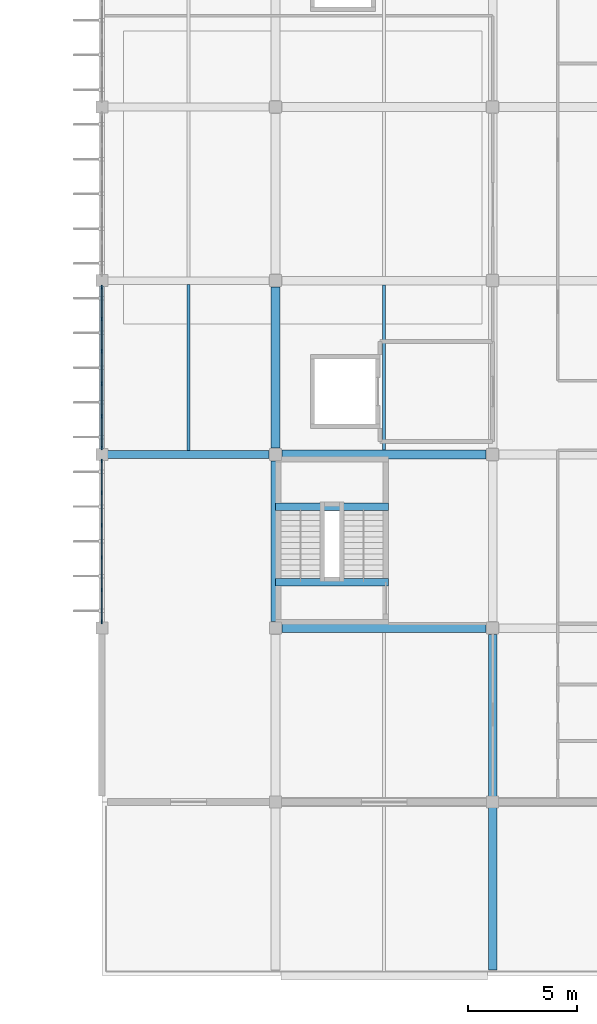
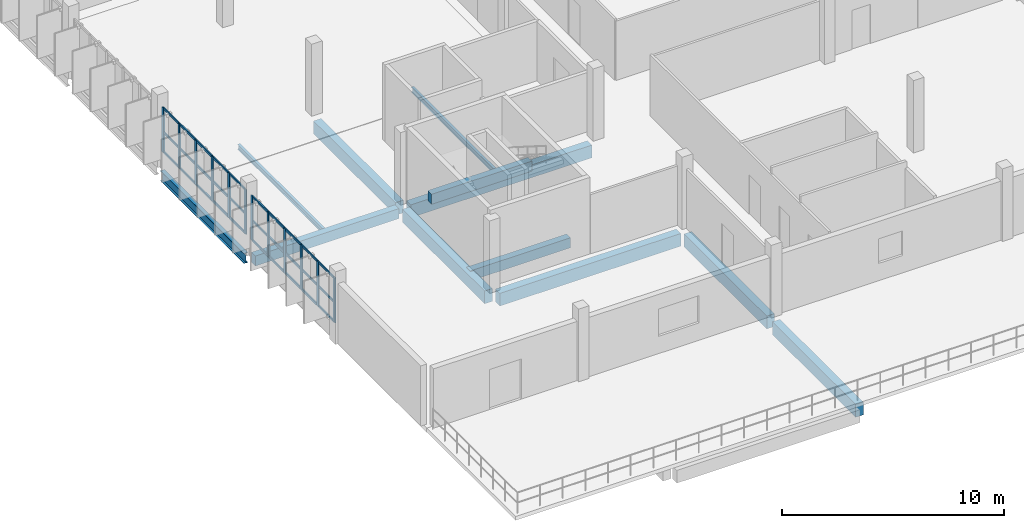
# One storey, part 12 of 38: 42 members, 12 beams, 2 elements without a shape of their own.
"""IFC4 building model written with IfcOpenShell, lengths in metres."""

from ifc_helpers import new_model, si_unit, direction, frame, origin, origin_2d, place, context, subcontext, project, spatial, rectangle, i_section, extrude, material, layer, layer_set, material_profile, profile_set, type_object, element, aggregate, save


model = new_model("IFC4")

# Units and contexts
model_context = context("Model", 3, precision=1e-05, world=origin(), true_north=direction((0.0, 1.0)))
body_context = subcontext(model_context, "Body", "Model", "MODEL_VIEW")
ifc_project = project(units=[si_unit("LENGTHUNIT", "METRE"), si_unit("AREAUNIT", "SQUARE_METRE"), si_unit("VOLUMEUNIT", "CUBIC_METRE"), si_unit("PLANEANGLEUNIT", "RADIAN"), si_unit("MASSUNIT", "GRAM", prefix="KILO")], contexts=[model_context])

# Site, building, storey
site_placement = place(None, origin())
site = spatial("IfcSite", under=ifc_project, at=site_placement, CompositionType="ELEMENT")
building_placement = place(site_placement, origin())
building = spatial("IfcBuilding", under=site, at=building_placement, Name="Drelvana Railside Aquatics Centre", CompositionType="ELEMENT")
storey_placement = place(building_placement, frame((0.0, 0.0, 14.39990234375)))
storey = spatial("IfcBuildingStorey", under=building, at=storey_placement, Name="L03", CompositionType="ELEMENT", Elevation=14.39990234375)

# Curtain wall, members
ifc_material_1 = material(Name="Bronze-anodised aluminium curtain wall", Category="aluminium")
ifc_layer = layer(ifc_material_1, 0.175048828125, Name="Bronze-anodised aluminium curtain wall")
ifc_layer_set = layer_set([ifc_layer], Name="Bronze-anodised aluminium curtain wall")
curtain_wall_type = type_object("IfcCurtainWallType", Name="CW-Z6-WING", PredefinedType="NOTDEFINED", material=ifc_layer_set)
curtain_wall_1_placement = place(storey_placement, origin())
curtain_wall_1 = element("IfcCurtainWall", 1, at=curtain_wall_1_placement, inside=storey, type_object=curtain_wall_type, Name="Curtain wall CW-06-139", PredefinedType="NOTDEFINED")
ifc_material_2 = material(Name="Bronze-anodised aluminium 6063-T6", Category="aluminium")
ifc_material_profile_1 = material_profile(ifc_material_2, rectangle(XDim=0.06494140625, YDim=0.175048828125, at=origin_2d()), Name="ALU-M 65x175")
ifc_profile_set_1 = profile_set([ifc_material_profile_1], Name="Bronze-anodised aluminium 6063-T6")
member_type_1 = type_object("IfcMemberType", Name="CW-Z6-WING-MUL", PredefinedType="MULLION", material=ifc_profile_set_1)
member_1_placement = place(storey_placement, frame((144.0, 24.301513671875, 0.794189453125), z_axis=(0.0, 0.0, 1.0), x_axis=(-1.0, 0.0, 0.0)))
member_1 = element("IfcMember", 2, at=member_1_placement, type_object=member_type_1, Name="CW-06 mullion 1", PredefinedType="MULLION", context=body_context, shape_type="SweptSolid", body=[
    extrude(rectangle(XDim=0.06494140625, YDim=0.175048828125, at=origin_2d()), origin(), (0.0, 0.0, 1.0), 2.455810546875),
])
member_2_placement = place(storey_placement, frame((144.0, 25.761474609375, 0.794189453125), z_axis=(0.0, 0.0, 1.0), x_axis=(-1.0, 0.0, 0.0)))
member_2 = element("IfcMember", 3, at=member_2_placement, type_object=member_type_1, Name="CW-06 mullion 2", PredefinedType="MULLION", context=body_context, shape_type="SweptSolid", body=[
    extrude(rectangle(XDim=0.06494140625, YDim=0.175048828125, at=origin_2d()), origin(), (0.0, 0.0, 1.0), 2.455810546875),
])
member_3_placement = place(storey_placement, frame((144.0, 27.25390625, 0.794189453125), z_axis=(0.0, 0.0, 1.0), x_axis=(-1.0, 0.0, 0.0)))
member_3 = element("IfcMember", 4, at=member_3_placement, type_object=member_type_1, Name="CW-06 mullion 3", PredefinedType="MULLION", context=body_context, shape_type="SweptSolid", body=[
    extrude(rectangle(XDim=0.06494140625, YDim=0.175048828125, at=origin_2d()), origin(), (0.0, 0.0, 1.0), 2.455810546875),
])
member_4_placement = place(storey_placement, frame((144.0, 28.74609375, 0.794189453125), z_axis=(0.0, 0.0, 1.0), x_axis=(-1.0, 0.0, 0.0)))
member_4 = element("IfcMember", 5, at=member_4_placement, type_object=member_type_1, Name="CW-06 mullion 4", PredefinedType="MULLION", context=body_context, shape_type="SweptSolid", body=[
    extrude(rectangle(XDim=0.06494140625, YDim=0.175048828125, at=origin_2d()), origin(), (0.0, 0.0, 1.0), 2.455810546875),
])
member_5_placement = place(storey_placement, frame((144.0, 30.238525390625, 0.794189453125), z_axis=(0.0, 0.0, 1.0), x_axis=(-1.0, 0.0, 0.0)))
member_5 = element("IfcMember", 6, at=member_5_placement, type_object=member_type_1, Name="CW-06 mullion 5", PredefinedType="MULLION", context=body_context, shape_type="SweptSolid", body=[
    extrude(rectangle(XDim=0.06494140625, YDim=0.175048828125, at=origin_2d()), origin(), (0.0, 0.0, 1.0), 2.455810546875),
])
member_6_placement = place(storey_placement, frame((144.0, 31.698486328125, 0.794189453125), z_axis=(0.0, 0.0, 1.0), x_axis=(-1.0, 0.0, 0.0)))
member_6 = element("IfcMember", 7, at=member_6_placement, type_object=member_type_1, Name="CW-06 mullion 6", PredefinedType="MULLION", context=body_context, shape_type="SweptSolid", body=[
    extrude(rectangle(XDim=0.06494140625, YDim=0.175048828125, at=origin_2d()), origin(), (0.0, 0.0, 1.0), 2.455810546875),
])

curtain_wall_2_placement = place(storey_placement, origin())
curtain_wall_2 = element("IfcCurtainWall", 8, at=curtain_wall_2_placement, inside=storey, type_object=curtain_wall_type, Name="Curtain wall CW-06-143", PredefinedType="NOTDEFINED")
member_7_placement = place(storey_placement, frame((144.0, 32.301513671875, 0.794189453125), z_axis=(0.0, 0.0, 1.0), x_axis=(-1.0, 0.0, 0.0)))
member_7 = element("IfcMember", 9, at=member_7_placement, type_object=member_type_1, Name="CW-06 mullion 1", PredefinedType="MULLION", context=body_context, shape_type="SweptSolid", body=[
    extrude(rectangle(XDim=0.06494140625, YDim=0.175048828125, at=origin_2d()), origin(), (0.0, 0.0, 1.0), 2.455810546875),
])
member_8_placement = place(storey_placement, frame((144.0, 33.761474609375, 0.794189453125), z_axis=(0.0, 0.0, 1.0), x_axis=(-1.0, 0.0, 0.0)))
member_8 = element("IfcMember", 10, at=member_8_placement, type_object=member_type_1, Name="CW-06 mullion 2", PredefinedType="MULLION", context=body_context, shape_type="SweptSolid", body=[
    extrude(rectangle(XDim=0.06494140625, YDim=0.175048828125, at=origin_2d()), origin(), (0.0, 0.0, 1.0), 2.455810546875),
])
member_9_placement = place(storey_placement, frame((144.0, 35.25390625, 0.794189453125), z_axis=(0.0, 0.0, 1.0), x_axis=(-1.0, 0.0, 0.0)))
member_9 = element("IfcMember", 11, at=member_9_placement, type_object=member_type_1, Name="CW-06 mullion 3", PredefinedType="MULLION", context=body_context, shape_type="SweptSolid", body=[
    extrude(rectangle(XDim=0.06494140625, YDim=0.175048828125, at=origin_2d()), origin(), (0.0, 0.0, 1.0), 2.455810546875),
])
member_10_placement = place(storey_placement, frame((144.0, 36.74609375, 0.794189453125), z_axis=(0.0, 0.0, 1.0), x_axis=(-1.0, 0.0, 0.0)))
member_10 = element("IfcMember", 12, at=member_10_placement, type_object=member_type_1, Name="CW-06 mullion 4", PredefinedType="MULLION", context=body_context, shape_type="SweptSolid", body=[
    extrude(rectangle(XDim=0.06494140625, YDim=0.175048828125, at=origin_2d()), origin(), (0.0, 0.0, 1.0), 2.455810546875),
])
member_11_placement = place(storey_placement, frame((144.0, 38.238525390625, 0.794189453125), z_axis=(0.0, 0.0, 1.0), x_axis=(-1.0, 0.0, 0.0)))
member_11 = element("IfcMember", 13, at=member_11_placement, type_object=member_type_1, Name="CW-06 mullion 5", PredefinedType="MULLION", context=body_context, shape_type="SweptSolid", body=[
    extrude(rectangle(XDim=0.06494140625, YDim=0.175048828125, at=origin_2d()), origin(), (0.0, 0.0, 1.0), 2.455810546875),
])
member_12_placement = place(storey_placement, frame((144.0, 39.698486328125, 0.794189453125), z_axis=(0.0, 0.0, 1.0), x_axis=(-1.0, 0.0, 0.0)))
member_12 = element("IfcMember", 14, at=member_12_placement, type_object=member_type_1, Name="CW-06 mullion 6", PredefinedType="MULLION", context=body_context, shape_type="SweptSolid", body=[
    extrude(rectangle(XDim=0.06494140625, YDim=0.175048828125, at=origin_2d()), origin(), (0.0, 0.0, 1.0), 2.455810546875),
])

# Member
ifc_material_profile_2 = material_profile(ifc_material_2, rectangle(XDim=0.1201171875, YDim=0.06005859375, at=origin_2d()), Name="ALU-T 60x120")
ifc_profile_set_2 = profile_set([ifc_material_profile_2], Name="Bronze-anodised aluminium 6063-T6")
member_type_2 = type_object("IfcMemberType", Name="CW-Z6-WING-TRN", PredefinedType="USERDEFINED", material=ifc_profile_set_2)
member_13_placement = place(storey_placement, frame((144.0, 24.3291015625, 0.82421875), z_axis=(0.0, 1.0, 0.0), x_axis=(0.0, 0.0, 1.0)))
member_13 = element("IfcMember", 15, at=member_13_placement, type_object=member_type_2, Name="CW-06 transom 1.1", ObjectType="TRANSOM", PredefinedType="USERDEFINED", context=body_context, shape_type="SweptSolid", body=[
    extrude(rectangle(XDim=0.1201171875, YDim=0.06005859375, at=origin_2d()), origin(), (0.0, 0.0, 1.0), 1.40478515625),
])

member_14_placement = place(storey_placement, frame((144.0, 24.3291015625, 1.899169921875), z_axis=(0.0, 1.0, 0.0), x_axis=(0.0, 0.0, 1.0)))
member_14 = element("IfcMember", 16, at=member_14_placement, type_object=member_type_2, Name="CW-06 transom 1.2", ObjectType="TRANSOM", PredefinedType="USERDEFINED", context=body_context, shape_type="SweptSolid", body=[
    extrude(rectangle(XDim=0.1201171875, YDim=0.06005859375, at=origin_2d()), origin(), (0.0, 0.0, 1.0), 1.40478515625),
])

member_15_placement = place(storey_placement, frame((144.0, 24.3291015625, 3.22021484375), z_axis=(0.0, 1.0, 0.0), x_axis=(0.0, 0.0, 1.0)))
member_15 = element("IfcMember", 17, at=member_15_placement, type_object=member_type_2, Name="CW-06 transom 1.3", ObjectType="TRANSOM", PredefinedType="USERDEFINED", context=body_context, shape_type="SweptSolid", body=[
    extrude(rectangle(XDim=0.1201171875, YDim=0.06005859375, at=origin_2d()), origin(), (0.0, 0.0, 1.0), 1.40478515625),
])

member_16_placement = place(storey_placement, frame((144.0, 25.788818359375, 0.82421875), z_axis=(0.0, 1.0, 0.0), x_axis=(0.0, 0.0, 1.0)))
member_16 = element("IfcMember", 18, at=member_16_placement, type_object=member_type_2, Name="CW-06 transom 2.1", ObjectType="TRANSOM", PredefinedType="USERDEFINED", context=body_context, shape_type="SweptSolid", body=[
    extrude(rectangle(XDim=0.1201171875, YDim=0.06005859375, at=origin_2d()), origin(), (0.0, 0.0, 1.0), 1.4375),
])

member_17_placement = place(storey_placement, frame((144.0, 25.788818359375, 1.899169921875), z_axis=(0.0, 1.0, 0.0), x_axis=(0.0, 0.0, 1.0)))
member_17 = element("IfcMember", 19, at=member_17_placement, type_object=member_type_2, Name="CW-06 transom 2.2", ObjectType="TRANSOM", PredefinedType="USERDEFINED", context=body_context, shape_type="SweptSolid", body=[
    extrude(rectangle(XDim=0.1201171875, YDim=0.06005859375, at=origin_2d()), origin(), (0.0, 0.0, 1.0), 1.4375),
])

member_18_placement = place(storey_placement, frame((144.0, 25.788818359375, 3.22021484375), z_axis=(0.0, 1.0, 0.0), x_axis=(0.0, 0.0, 1.0)))
member_18 = element("IfcMember", 20, at=member_18_placement, type_object=member_type_2, Name="CW-06 transom 2.3", ObjectType="TRANSOM", PredefinedType="USERDEFINED", context=body_context, shape_type="SweptSolid", body=[
    extrude(rectangle(XDim=0.1201171875, YDim=0.06005859375, at=origin_2d()), origin(), (0.0, 0.0, 1.0), 1.4375),
])

member_19_placement = place(storey_placement, frame((144.0, 27.28125, 0.82421875), z_axis=(0.0, 1.0, 0.0), x_axis=(0.0, 0.0, 1.0)))
member_19 = element("IfcMember", 21, at=member_19_placement, type_object=member_type_2, Name="CW-06 transom 3.1", ObjectType="TRANSOM", PredefinedType="USERDEFINED", context=body_context, shape_type="SweptSolid", body=[
    extrude(rectangle(XDim=0.1201171875, YDim=0.06005859375, at=origin_2d()), origin(), (0.0, 0.0, 1.0), 1.4375),
])

member_20_placement = place(storey_placement, frame((144.0, 27.28125, 1.899169921875), z_axis=(0.0, 1.0, 0.0), x_axis=(0.0, 0.0, 1.0)))
member_20 = element("IfcMember", 22, at=member_20_placement, type_object=member_type_2, Name="CW-06 transom 3.2", ObjectType="TRANSOM", PredefinedType="USERDEFINED", context=body_context, shape_type="SweptSolid", body=[
    extrude(rectangle(XDim=0.1201171875, YDim=0.06005859375, at=origin_2d()), origin(), (0.0, 0.0, 1.0), 1.4375),
])

member_21_placement = place(storey_placement, frame((144.0, 27.28125, 3.22021484375), z_axis=(0.0, 1.0, 0.0), x_axis=(0.0, 0.0, 1.0)))
member_21 = element("IfcMember", 23, at=member_21_placement, type_object=member_type_2, Name="CW-06 transom 3.3", ObjectType="TRANSOM", PredefinedType="USERDEFINED", context=body_context, shape_type="SweptSolid", body=[
    extrude(rectangle(XDim=0.1201171875, YDim=0.06005859375, at=origin_2d()), origin(), (0.0, 0.0, 1.0), 1.4375),
])

member_22_placement = place(storey_placement, frame((144.0, 28.773681640625, 0.82421875), z_axis=(0.0, 1.0, 0.0), x_axis=(0.0, 0.0, 1.0)))
member_22 = element("IfcMember", 24, at=member_22_placement, type_object=member_type_2, Name="CW-06 transom 4.1", ObjectType="TRANSOM", PredefinedType="USERDEFINED", context=body_context, shape_type="SweptSolid", body=[
    extrude(rectangle(XDim=0.1201171875, YDim=0.06005859375, at=origin_2d()), origin(), (0.0, 0.0, 1.0), 1.4375),
])

member_23_placement = place(storey_placement, frame((144.0, 28.773681640625, 1.899169921875), z_axis=(0.0, 1.0, 0.0), x_axis=(0.0, 0.0, 1.0)))
member_23 = element("IfcMember", 25, at=member_23_placement, type_object=member_type_2, Name="CW-06 transom 4.2", ObjectType="TRANSOM", PredefinedType="USERDEFINED", context=body_context, shape_type="SweptSolid", body=[
    extrude(rectangle(XDim=0.1201171875, YDim=0.06005859375, at=origin_2d()), origin(), (0.0, 0.0, 1.0), 1.4375),
])

member_24_placement = place(storey_placement, frame((144.0, 28.773681640625, 3.22021484375), z_axis=(0.0, 1.0, 0.0), x_axis=(0.0, 0.0, 1.0)))
member_24 = element("IfcMember", 26, at=member_24_placement, type_object=member_type_2, Name="CW-06 transom 4.3", ObjectType="TRANSOM", PredefinedType="USERDEFINED", context=body_context, shape_type="SweptSolid", body=[
    extrude(rectangle(XDim=0.1201171875, YDim=0.06005859375, at=origin_2d()), origin(), (0.0, 0.0, 1.0), 1.4375),
])

member_25_placement = place(storey_placement, frame((144.0, 30.26611328125, 0.82421875), z_axis=(0.0, 1.0, 0.0), x_axis=(0.0, 0.0, 1.0)))
member_25 = element("IfcMember", 27, at=member_25_placement, type_object=member_type_2, Name="CW-06 transom 5.1", ObjectType="TRANSOM", PredefinedType="USERDEFINED", context=body_context, shape_type="SweptSolid", body=[
    extrude(rectangle(XDim=0.1201171875, YDim=0.06005859375, at=origin_2d()), origin(), (0.0, 0.0, 1.0), 1.40478515625),
])

member_26_placement = place(storey_placement, frame((144.0, 30.26611328125, 1.899169921875), z_axis=(0.0, 1.0, 0.0), x_axis=(0.0, 0.0, 1.0)))
member_26 = element("IfcMember", 28, at=member_26_placement, type_object=member_type_2, Name="CW-06 transom 5.2", ObjectType="TRANSOM", PredefinedType="USERDEFINED", context=body_context, shape_type="SweptSolid", body=[
    extrude(rectangle(XDim=0.1201171875, YDim=0.06005859375, at=origin_2d()), origin(), (0.0, 0.0, 1.0), 1.40478515625),
])

member_27_placement = place(storey_placement, frame((144.0, 30.26611328125, 3.22021484375), z_axis=(0.0, 1.0, 0.0), x_axis=(0.0, 0.0, 1.0)))
member_27 = element("IfcMember", 29, at=member_27_placement, type_object=member_type_2, Name="CW-06 transom 5.3", ObjectType="TRANSOM", PredefinedType="USERDEFINED", context=body_context, shape_type="SweptSolid", body=[
    extrude(rectangle(XDim=0.1201171875, YDim=0.06005859375, at=origin_2d()), origin(), (0.0, 0.0, 1.0), 1.40478515625),
])

aggregate(curtain_wall_1, [member_1, member_2, member_3, member_4, member_5, member_6, member_13, member_14, member_15, member_16, member_17, member_18, member_19, member_20, member_21, member_22, member_23, member_24, member_25, member_26, member_27])

member_28_placement = place(storey_placement, frame((144.0, 32.3291015625, 0.82421875), z_axis=(0.0, 1.0, 0.0), x_axis=(0.0, 0.0, 1.0)))
member_28 = element("IfcMember", 30, at=member_28_placement, type_object=member_type_2, Name="CW-06 transom 1.1", ObjectType="TRANSOM", PredefinedType="USERDEFINED", context=body_context, shape_type="SweptSolid", body=[
    extrude(rectangle(XDim=0.1201171875, YDim=0.06005859375, at=origin_2d()), origin(), (0.0, 0.0, 1.0), 1.40478515625),
])

member_29_placement = place(storey_placement, frame((144.0, 32.3291015625, 1.899169921875), z_axis=(0.0, 1.0, 0.0), x_axis=(0.0, 0.0, 1.0)))
member_29 = element("IfcMember", 31, at=member_29_placement, type_object=member_type_2, Name="CW-06 transom 1.2", ObjectType="TRANSOM", PredefinedType="USERDEFINED", context=body_context, shape_type="SweptSolid", body=[
    extrude(rectangle(XDim=0.1201171875, YDim=0.06005859375, at=origin_2d()), origin(), (0.0, 0.0, 1.0), 1.40478515625),
])

member_30_placement = place(storey_placement, frame((144.0, 32.3291015625, 3.22021484375), z_axis=(0.0, 1.0, 0.0), x_axis=(0.0, 0.0, 1.0)))
member_30 = element("IfcMember", 32, at=member_30_placement, type_object=member_type_2, Name="CW-06 transom 1.3", ObjectType="TRANSOM", PredefinedType="USERDEFINED", context=body_context, shape_type="SweptSolid", body=[
    extrude(rectangle(XDim=0.1201171875, YDim=0.06005859375, at=origin_2d()), origin(), (0.0, 0.0, 1.0), 1.40478515625),
])

member_31_placement = place(storey_placement, frame((144.0, 33.788818359375, 0.82421875), z_axis=(0.0, 1.0, 0.0), x_axis=(0.0, 0.0, 1.0)))
member_31 = element("IfcMember", 33, at=member_31_placement, type_object=member_type_2, Name="CW-06 transom 2.1", ObjectType="TRANSOM", PredefinedType="USERDEFINED", context=body_context, shape_type="SweptSolid", body=[
    extrude(rectangle(XDim=0.1201171875, YDim=0.06005859375, at=origin_2d()), origin(), (0.0, 0.0, 1.0), 1.4375),
])

member_32_placement = place(storey_placement, frame((144.0, 33.788818359375, 1.899169921875), z_axis=(0.0, 1.0, 0.0), x_axis=(0.0, 0.0, 1.0)))
member_32 = element("IfcMember", 34, at=member_32_placement, type_object=member_type_2, Name="CW-06 transom 2.2", ObjectType="TRANSOM", PredefinedType="USERDEFINED", context=body_context, shape_type="SweptSolid", body=[
    extrude(rectangle(XDim=0.1201171875, YDim=0.06005859375, at=origin_2d()), origin(), (0.0, 0.0, 1.0), 1.4375),
])

member_33_placement = place(storey_placement, frame((144.0, 33.788818359375, 3.22021484375), z_axis=(0.0, 1.0, 0.0), x_axis=(0.0, 0.0, 1.0)))
member_33 = element("IfcMember", 35, at=member_33_placement, type_object=member_type_2, Name="CW-06 transom 2.3", ObjectType="TRANSOM", PredefinedType="USERDEFINED", context=body_context, shape_type="SweptSolid", body=[
    extrude(rectangle(XDim=0.1201171875, YDim=0.06005859375, at=origin_2d()), origin(), (0.0, 0.0, 1.0), 1.4375),
])

member_34_placement = place(storey_placement, frame((144.0, 35.28125, 0.82421875), z_axis=(0.0, 1.0, 0.0), x_axis=(0.0, 0.0, 1.0)))
member_34 = element("IfcMember", 36, at=member_34_placement, type_object=member_type_2, Name="CW-06 transom 3.1", ObjectType="TRANSOM", PredefinedType="USERDEFINED", context=body_context, shape_type="SweptSolid", body=[
    extrude(rectangle(XDim=0.1201171875, YDim=0.06005859375, at=origin_2d()), origin(), (0.0, 0.0, 1.0), 1.4375),
])

member_35_placement = place(storey_placement, frame((144.0, 35.28125, 1.899169921875), z_axis=(0.0, 1.0, 0.0), x_axis=(0.0, 0.0, 1.0)))
member_35 = element("IfcMember", 37, at=member_35_placement, type_object=member_type_2, Name="CW-06 transom 3.2", ObjectType="TRANSOM", PredefinedType="USERDEFINED", context=body_context, shape_type="SweptSolid", body=[
    extrude(rectangle(XDim=0.1201171875, YDim=0.06005859375, at=origin_2d()), origin(), (0.0, 0.0, 1.0), 1.4375),
])

member_36_placement = place(storey_placement, frame((144.0, 35.28125, 3.22021484375), z_axis=(0.0, 1.0, 0.0), x_axis=(0.0, 0.0, 1.0)))
member_36 = element("IfcMember", 38, at=member_36_placement, type_object=member_type_2, Name="CW-06 transom 3.3", ObjectType="TRANSOM", PredefinedType="USERDEFINED", context=body_context, shape_type="SweptSolid", body=[
    extrude(rectangle(XDim=0.1201171875, YDim=0.06005859375, at=origin_2d()), origin(), (0.0, 0.0, 1.0), 1.4375),
])

member_37_placement = place(storey_placement, frame((144.0, 36.773681640625, 0.82421875), z_axis=(0.0, 1.0, 0.0), x_axis=(0.0, 0.0, 1.0)))
member_37 = element("IfcMember", 39, at=member_37_placement, type_object=member_type_2, Name="CW-06 transom 4.1", ObjectType="TRANSOM", PredefinedType="USERDEFINED", context=body_context, shape_type="SweptSolid", body=[
    extrude(rectangle(XDim=0.1201171875, YDim=0.06005859375, at=origin_2d()), origin(), (0.0, 0.0, 1.0), 1.4375),
])

member_38_placement = place(storey_placement, frame((144.0, 36.773681640625, 1.899169921875), z_axis=(0.0, 1.0, 0.0), x_axis=(0.0, 0.0, 1.0)))
member_38 = element("IfcMember", 40, at=member_38_placement, type_object=member_type_2, Name="CW-06 transom 4.2", ObjectType="TRANSOM", PredefinedType="USERDEFINED", context=body_context, shape_type="SweptSolid", body=[
    extrude(rectangle(XDim=0.1201171875, YDim=0.06005859375, at=origin_2d()), origin(), (0.0, 0.0, 1.0), 1.4375),
])

member_39_placement = place(storey_placement, frame((144.0, 36.773681640625, 3.22021484375), z_axis=(0.0, 1.0, 0.0), x_axis=(0.0, 0.0, 1.0)))
member_39 = element("IfcMember", 41, at=member_39_placement, type_object=member_type_2, Name="CW-06 transom 4.3", ObjectType="TRANSOM", PredefinedType="USERDEFINED", context=body_context, shape_type="SweptSolid", body=[
    extrude(rectangle(XDim=0.1201171875, YDim=0.06005859375, at=origin_2d()), origin(), (0.0, 0.0, 1.0), 1.4375),
])

member_40_placement = place(storey_placement, frame((144.0, 38.26611328125, 0.82421875), z_axis=(0.0, 1.0, 0.0), x_axis=(0.0, 0.0, 1.0)))
member_40 = element("IfcMember", 42, at=member_40_placement, type_object=member_type_2, Name="CW-06 transom 5.1", ObjectType="TRANSOM", PredefinedType="USERDEFINED", context=body_context, shape_type="SweptSolid", body=[
    extrude(rectangle(XDim=0.1201171875, YDim=0.06005859375, at=origin_2d()), origin(), (0.0, 0.0, 1.0), 1.40478515625),
])

member_41_placement = place(storey_placement, frame((144.0, 38.26611328125, 1.899169921875), z_axis=(0.0, 1.0, 0.0), x_axis=(0.0, 0.0, 1.0)))
member_41 = element("IfcMember", 43, at=member_41_placement, type_object=member_type_2, Name="CW-06 transom 5.2", ObjectType="TRANSOM", PredefinedType="USERDEFINED", context=body_context, shape_type="SweptSolid", body=[
    extrude(rectangle(XDim=0.1201171875, YDim=0.06005859375, at=origin_2d()), origin(), (0.0, 0.0, 1.0), 1.40478515625),
])

member_42_placement = place(storey_placement, frame((144.0, 38.26611328125, 3.22021484375), z_axis=(0.0, 1.0, 0.0), x_axis=(0.0, 0.0, 1.0)))
member_42 = element("IfcMember", 44, at=member_42_placement, type_object=member_type_2, Name="CW-06 transom 5.3", ObjectType="TRANSOM", PredefinedType="USERDEFINED", context=body_context, shape_type="SweptSolid", body=[
    extrude(rectangle(XDim=0.1201171875, YDim=0.06005859375, at=origin_2d()), origin(), (0.0, 0.0, 1.0), 1.40478515625),
])

aggregate(curtain_wall_2, [member_7, member_8, member_9, member_10, member_11, member_12, member_28, member_29, member_30, member_31, member_32, member_33, member_34, member_35, member_36, member_37, member_38, member_39, member_40, member_41, member_42])

# Beams
ifc_material_3 = material(Name="Concrete C40/50", Category="concrete")
ifc_material_profile_3 = material_profile(ifc_material_3, rectangle(XDim=0.35009765625, YDim=0.550048828125, at=origin_2d()), Name="RC 350x550")
ifc_profile_set_3 = profile_set([ifc_material_profile_3], Name="Concrete C40/50")
beam_type_1 = type_object("IfcBeamType", Name="STR-BM-BM-01-RC-350x550", PredefinedType="BEAM", material=ifc_profile_set_3)
beam_1_placement = place(storey_placement, frame((144.25, 32.0, -0.514892578125), z_axis=(1.0, 0.0, 0.0), x_axis=(0.0, 1.0, 0.0)))
element("IfcBeam", 45, at=beam_1_placement, inside=storey, type_object=beam_type_1, Name="Girder BM-01 (L03)", PredefinedType="BEAM", context=body_context, shape_type="SweptSolid", body=[
    extrude(rectangle(XDim=0.35009765625, YDim=0.550048828125, at=origin_2d()), origin(), (0.0, 0.0, 1.0), 7.449951171875),
])
for number, where, z_axis, x_axis, name in (
    (46, (152.0, 26.110107421875, -0.474853515625), (1.0, 0.0, 0.0), (0.0, 1.0, 0.0), "Stair ST-06 L03 landing beam"),
    (47, (152.0, 29.5849609375, 1.625), (1.0, 0.0, 0.0), (0.0, 1.0, 0.0), "Stair ST-06 L03 mid-landing beam"),
):
    element("IfcBeam", number, at=place(storey_placement, frame(where, z_axis=z_axis, x_axis=x_axis)), inside=storey, type_object=beam_type_1, Name=name, PredefinedType="BEAM", context=body_context, shape_type="SweptSolid", body=[
        extrude(rectangle(XDim=0.35009765625, YDim=0.550048828125, at=origin_2d()), origin(), (0.0, 0.0, 1.0), 5.199951171875),
    ])
ifc_material_profile_4 = material_profile(ifc_material_3, rectangle(XDim=0.39990234375, YDim=0.699951171875, at=origin_2d()), Name="RC 400x700")
ifc_profile_set_4 = profile_set([ifc_material_profile_4], Name="Concrete C40/50")
beam_type_2 = type_object("IfcBeamType", Name="STR-BM-BM-03-RC-400x700", PredefinedType="BEAM", material=ifc_profile_set_4)
for number, where, z_axis, x_axis, name in (
    (48, (152.300048828125, 24.0, -0.58984375), (1.0, 0.0, 0.0), (0.0, 1.0, 0.0), "Girder BM-03 (L03)"),
    (49, (152.300048828125, 32.0, -0.58984375), (1.0, 0.0, 0.0), (0.0, 1.0, 0.0), "Girder BM-03 (L03)"),
):
    element("IfcBeam", number, at=place(storey_placement, frame(where, z_axis=z_axis, x_axis=x_axis)), inside=storey, type_object=beam_type_2, Name=name, PredefinedType="BEAM", context=body_context, shape_type="SweptSolid", body=[
        extrude(rectangle(XDim=0.39990234375, YDim=0.699951171875, at=origin_2d()), origin(), (0.0, 0.0, 1.0), 9.39990234375),
    ])
for number, where, z_axis, x_axis, name in (
    (50, (152.0, 24.300048828125, -0.58984375), (0.0, 1.0, 0.0), (-1.0, 0.0, 0.0), "Girder BM-03 (L03)"),
    (51, (152.0, 32.300048828125, -0.58984375), (0.0, 1.0, 0.0), (-1.0, 0.0, 0.0), "Girder BM-03 (L03)"),
):
    element("IfcBeam", number, at=place(storey_placement, frame(where, z_axis=z_axis, x_axis=x_axis)), inside=storey, type_object=beam_type_2, Name=name, PredefinedType="BEAM", context=body_context, shape_type="SweptSolid", body=[
        extrude(rectangle(XDim=0.39990234375, YDim=0.699951171875, at=origin_2d()), origin(), (0.0, 0.0, 1.0), 7.39990234375),
    ])
beam_2_placement = place(storey_placement, frame((162.0, 8.25, -0.58984375), z_axis=(0.0, 1.0, 0.0), x_axis=(-1.0, 0.0, 0.0)))
element("IfcBeam", 52, at=beam_2_placement, inside=storey, type_object=beam_type_2, Name="Girder BM-03 (L03)", PredefinedType="BEAM", context=body_context, shape_type="SweptSolid", body=[
    extrude(rectangle(XDim=0.39990234375, YDim=0.699951171875, at=origin_2d()), origin(), (0.0, 0.0, 1.0), 7.5),
])
beam_3_placement = place(storey_placement, frame((162.0, 16.25, -0.58984375), z_axis=(0.0, 1.0, 0.0), x_axis=(-1.0, 0.0, 0.0)))
element("IfcBeam", 53, at=beam_3_placement, inside=storey, type_object=beam_type_2, Name="Girder BM-03 (L03)", PredefinedType="BEAM", context=body_context, shape_type="SweptSolid", body=[
    extrude(rectangle(XDim=0.39990234375, YDim=0.699951171875, at=origin_2d()), origin(), (0.0, 0.0, 1.0), 7.449951171875),
])
ifc_material_4 = material(Name="Structural steel S355", Category="steel")
ifc_material_profile_5 = material_profile(ifc_material_4, i_section(OverallWidth=0.2099609375, OverallDepth=0.550048828125, WebThickness=0.010986328125, FlangeThickness=0.01708984375, at=origin_2d()), Name="IPE 550")
ifc_profile_set_5 = profile_set([ifc_material_profile_5], Name="Structural steel S355")
beam_type_3 = type_object("IfcBeamType", Name="STR-SBM-SB-04-IPE-550", PredefinedType="SPANDREL", material=ifc_profile_set_5)
beam_4_placement = place(storey_placement, frame((144.0, 32.25, -0.514892578125), z_axis=(0.0, 1.0, 0.0), x_axis=(-1.0, 0.0, 0.0)))
element("IfcBeam", 54, at=beam_4_placement, inside=storey, type_object=beam_type_3, Name="Girder SB-04 (L03)", PredefinedType="SPANDREL", context=body_context, shape_type="SweptSolid", body=[
    extrude(i_section(OverallWidth=0.2099609375, OverallDepth=0.550048828125, WebThickness=0.010986328125, FlangeThickness=0.01708984375, at=origin_2d()), origin(), (0.0, 0.0, 1.0), 7.5),
])
ifc_material_profile_6 = material_profile(ifc_material_4, i_section(OverallWidth=0.135009765625, OverallDepth=0.27001953125, WebThickness=0.006591796875, FlangeThickness=0.01025390625, at=origin_2d()), Name="IPE 270")
ifc_profile_set_6 = profile_set([ifc_material_profile_6], Name="Structural steel S355")
beam_type_4 = type_object("IfcBeamType", Name="STR-SBM-SJ-02-IPE-270", PredefinedType="JOIST", material=ifc_profile_set_6)
beam_5_placement = place(storey_placement, frame((148.0, 32.175048828125, -0.375), z_axis=(0.0, 1.0, 0.0), x_axis=(-1.0, 0.0, 0.0)))
element("IfcBeam", 55, at=beam_5_placement, inside=storey, type_object=beam_type_4, Name="Secondary floor joist SJ-02 (L03)", PredefinedType="JOIST", context=body_context, shape_type="SweptSolid", body=[
    extrude(i_section(OverallWidth=0.135009765625, OverallDepth=0.27001953125, WebThickness=0.006591796875, FlangeThickness=0.01025390625, at=origin_2d()), origin(), (0.0, 0.0, 1.0), 7.64990234375),
])
beam_6_placement = place(storey_placement, frame((157.0, 32.199951171875, -0.375), z_axis=(0.0, 1.0, 0.0), x_axis=(-1.0, 0.0, 0.0)))
element("IfcBeam", 56, at=beam_6_placement, inside=storey, type_object=beam_type_4, Name="Secondary floor joist SJ-02 (L03)", PredefinedType="JOIST", context=body_context, shape_type="SweptSolid", body=[
    extrude(i_section(OverallWidth=0.135009765625, OverallDepth=0.27001953125, WebThickness=0.006591796875, FlangeThickness=0.01025390625, at=origin_2d()), origin(), (0.0, 0.0, 1.0), 7.60009765625),
])

save(model, "model.ifc")
